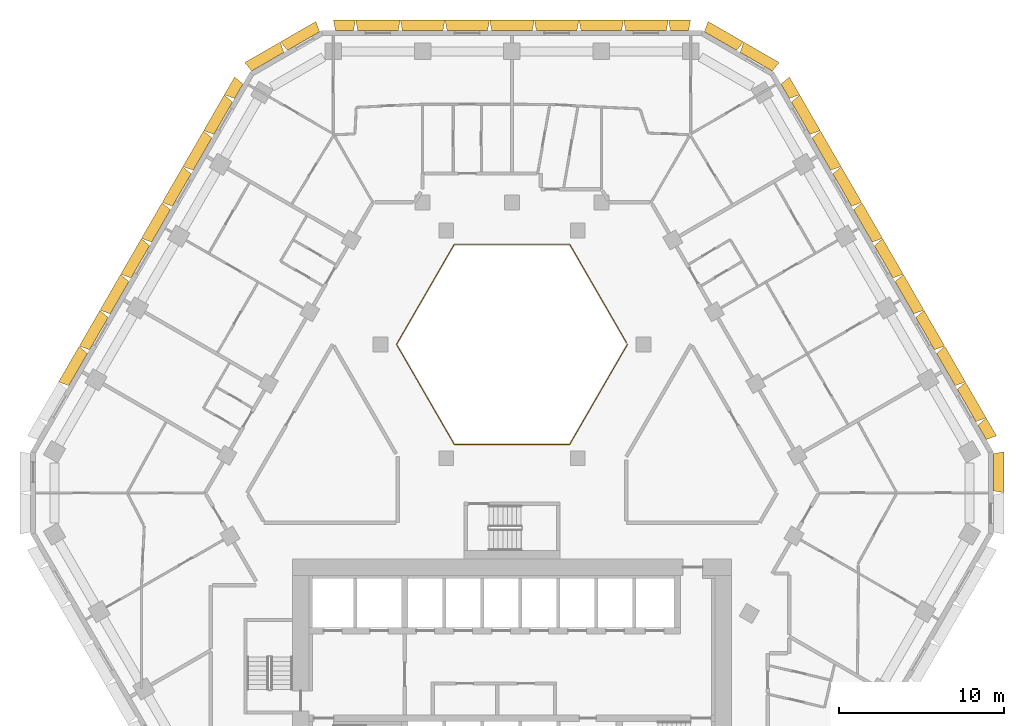
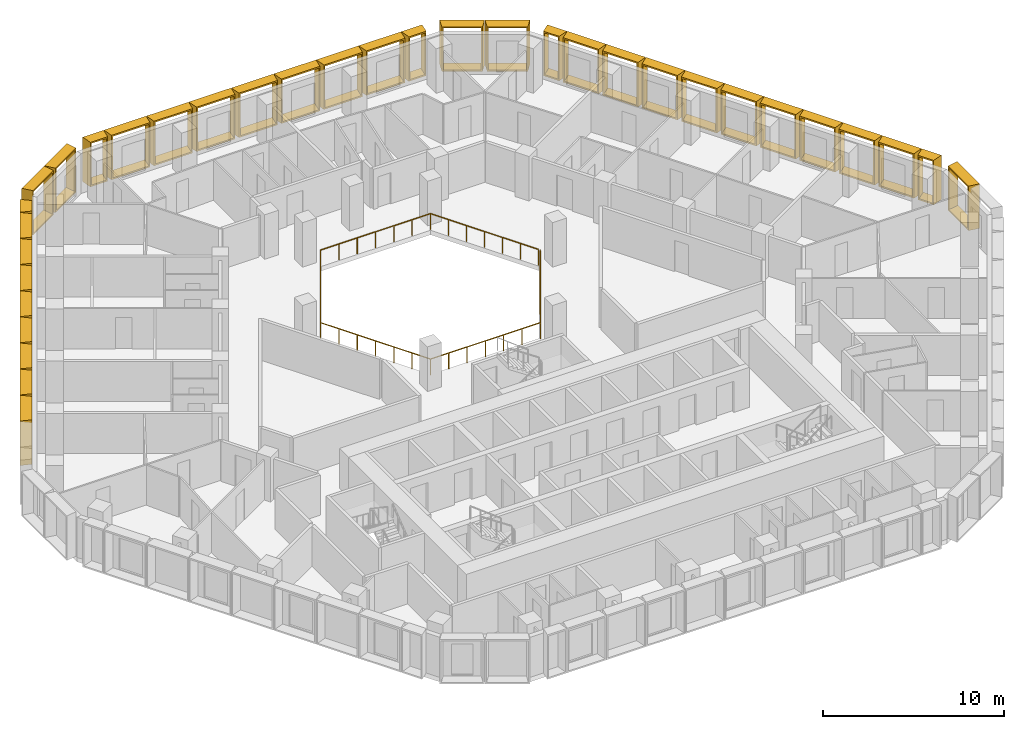
# One storey, part 15 of 15: 34 shading devices, 1 railing.
"""IFC4 building model written with IfcOpenShell, lengths in metres."""

from ifc_helpers import new_model, entity, si_unit, direction, frame, origin, origin_2d, place, context, subcontext, project, spatial, rectangle, extrude, source, transform, mapped, material, type_object, type_shapes, element, save


model = new_model("IFC4")

# Units and contexts
model_context = context("Model", 3, precision=1e-05, world=origin(), true_north=direction((0.0, 1.0)))
body_context = subcontext(model_context, "Body", "Model", "MODEL_VIEW")
ifc_project = project(units=[si_unit("LENGTHUNIT", "METRE"), si_unit("AREAUNIT", "SQUARE_METRE"), si_unit("VOLUMEUNIT", "CUBIC_METRE"), si_unit("PLANEANGLEUNIT", "RADIAN"), si_unit("MASSUNIT", "GRAM", prefix="KILO")], contexts=[model_context])

# Site, building, storey
site_placement = place(None, origin())
site = spatial("IfcSite", under=ifc_project, at=site_placement, CompositionType="ELEMENT")
building_placement = place(site_placement, origin())
building = spatial("IfcBuilding", under=site, at=building_placement, Name="Beryl Residences", CompositionType="ELEMENT")
storey_placement = place(building_placement, frame((0.0, 0.0, 72.0)))
storey = spatial("IfcBuildingStorey", under=building, at=storey_placement, Name="L21", CompositionType="ELEMENT", Elevation=72.0)

# Railing
ifc_material_1 = material(Name="Stainless steel balustrade with glass infill", Category="steel")
railing_type = type_object("IfcRailingType", Name="EG1 edge guard 1100 mm", PredefinedType="GUARDRAIL", material=ifc_material_1)
railing_placement = place(storey_placement, frame((6.9970703125, 8.0, 0.0)))
element("IfcRailing", 1, at=railing_placement, inside=storey, type_object=railing_type, Name="L21 atrium guard", PredefinedType="GUARDRAIL", context=body_context, shape_type="SweptSolid", body=[
    extrude(rectangle(XDim=0.048095703125, YDim=0.048095703125, at=origin_2d()), frame((0.0, 0.0, 1.076171875), z_axis=(-0.499921796684, -0.866070549782, 0.0), x_axis=(0.866070549782, -0.499921796684, 0.0)), (0.0, 0.0, 1.0), 6.9970703125),
    extrude(rectangle(XDim=0.048095703125, YDim=0.048095703125, at=origin_2d()), frame((-3.498046875, -6.06005859375, 1.076171875), z_axis=(-1.0, 0.0, 0.0), x_axis=(0.0, -1.0, 0.0)), (0.0, 0.0, 1.0), 6.998046875),
    extrude(rectangle(XDim=0.048095703125, YDim=0.048095703125, at=origin_2d()), frame((-10.49609375, -6.06005859375, 1.076171875), z_axis=(-0.499921796684, 0.866070549782, 0.0), x_axis=(-0.866070549782, -0.499921796684, 0.0)), (0.0, 0.0, 1.0), 6.9970703125),
    extrude(rectangle(XDim=0.048095703125, YDim=0.048095703125, at=origin_2d()), frame((-13.994140625, 0.0, 1.076171875), z_axis=(0.499921796684, 0.866070549782, 0.0), x_axis=(-0.866070549782, 0.499921796684, 0.0)), (0.0, 0.0, 1.0), 6.9970703125),
    extrude(rectangle(XDim=0.048095703125, YDim=0.048095703125, at=origin_2d()), frame((-10.49609375, 6.06005859375, 1.076171875), z_axis=(1.0, 0.0, 0.0), x_axis=(0.0, 1.0, 0.0)), (0.0, 0.0, 1.0), 6.998046875),
    extrude(rectangle(XDim=0.048095703125, YDim=0.048095703125, at=origin_2d()), frame((-3.498046875, 6.06005859375, 1.076171875), z_axis=(0.499919131929, -0.866072087953, 0.0), x_axis=(0.866072087953, 0.499919131929, 0.0)), (0.0, 0.0, 1.0), 6.877197265625),
    extrude(rectangle(XDim=0.0419921875, YDim=0.0419921875, at=origin_2d()), origin(), (0.0, 0.0, 1.0), 1.052001953125),
    extrude(rectangle(XDim=0.0419921875, YDim=0.0419921875, at=origin_2d()), frame((-0.5830078125, -1.010009765625, 0.0)), (0.0, 0.0, 1.0), 1.052001953125),
    extrude(rectangle(XDim=0.0419921875, YDim=0.0419921875, at=origin_2d()), frame((-1.166015625, -2.02001953125, 0.0)), (0.0, 0.0, 1.0), 1.052001953125),
    extrude(rectangle(XDim=0.0419921875, YDim=0.0419921875, at=origin_2d()), frame((-1.7490234375, -3.030029296875, 0.0)), (0.0, 0.0, 1.0), 1.052001953125),
    extrude(rectangle(XDim=0.0419921875, YDim=0.0419921875, at=origin_2d()), frame((-2.33203125, -4.0400390625, 0.0)), (0.0, 0.0, 1.0), 1.052001953125),
    extrude(rectangle(XDim=0.0419921875, YDim=0.0419921875, at=origin_2d()), frame((-2.9150390625, -5.050048828125, 0.0)), (0.0, 0.0, 1.0), 1.052001953125),
    extrude(rectangle(XDim=0.0419921875, YDim=0.0419921875, at=origin_2d()), frame((-3.498046875, -6.06005859375, 0.0)), (0.0, 0.0, 1.0), 1.052001953125),
    extrude(rectangle(XDim=0.0419921875, YDim=0.0419921875, at=origin_2d()), frame((-4.664306640625, -6.06005859375, 0.0)), (0.0, 0.0, 1.0), 1.052001953125),
    extrude(rectangle(XDim=0.0419921875, YDim=0.0419921875, at=origin_2d()), frame((-5.830810546875, -6.06005859375, 0.0)), (0.0, 0.0, 1.0), 1.052001953125),
    extrude(rectangle(XDim=0.0419921875, YDim=0.0419921875, at=origin_2d()), frame((-6.9970703125, -6.06005859375, 0.0)), (0.0, 0.0, 1.0), 1.052001953125),
    extrude(rectangle(XDim=0.0419921875, YDim=0.0419921875, at=origin_2d()), frame((-8.163330078125, -6.06005859375, 0.0)), (0.0, 0.0, 1.0), 1.052001953125),
    extrude(rectangle(XDim=0.0419921875, YDim=0.0419921875, at=origin_2d()), frame((-9.329833984375, -6.06005859375, 0.0)), (0.0, 0.0, 1.0), 1.052001953125),
    extrude(rectangle(XDim=0.0419921875, YDim=0.0419921875, at=origin_2d()), frame((-10.49609375, -6.06005859375, 0.0)), (0.0, 0.0, 1.0), 1.052001953125),
    extrude(rectangle(XDim=0.0419921875, YDim=0.0419921875, at=origin_2d()), frame((-11.0791015625, -5.050048828125, 0.0)), (0.0, 0.0, 1.0), 1.052001953125),
    extrude(rectangle(XDim=0.0419921875, YDim=0.0419921875, at=origin_2d()), frame((-11.662109375, -4.0400390625, 0.0)), (0.0, 0.0, 1.0), 1.052001953125),
    extrude(rectangle(XDim=0.0419921875, YDim=0.0419921875, at=origin_2d()), frame((-12.2451171875, -3.030029296875, 0.0)), (0.0, 0.0, 1.0), 1.052001953125),
    extrude(rectangle(XDim=0.0419921875, YDim=0.0419921875, at=origin_2d()), frame((-12.828125, -2.02001953125, 0.0)), (0.0, 0.0, 1.0), 1.052001953125),
    extrude(rectangle(XDim=0.0419921875, YDim=0.0419921875, at=origin_2d()), frame((-13.4111328125, -1.010009765625, 0.0)), (0.0, 0.0, 1.0), 1.052001953125),
    extrude(rectangle(XDim=0.0419921875, YDim=0.0419921875, at=origin_2d()), frame((-13.994140625, 0.0, 0.0)), (0.0, 0.0, 1.0), 1.052001953125),
    extrude(rectangle(XDim=0.0419921875, YDim=0.0419921875, at=origin_2d()), frame((-13.4111328125, 1.010009765625, 0.0)), (0.0, 0.0, 1.0), 1.052001953125),
    extrude(rectangle(XDim=0.0419921875, YDim=0.0419921875, at=origin_2d()), frame((-12.828125, 2.02001953125, 0.0)), (0.0, 0.0, 1.0), 1.052001953125),
    extrude(rectangle(XDim=0.0419921875, YDim=0.0419921875, at=origin_2d()), frame((-12.2451171875, 3.030029296875, 0.0)), (0.0, 0.0, 1.0), 1.052001953125),
    extrude(rectangle(XDim=0.0419921875, YDim=0.0419921875, at=origin_2d()), frame((-11.662109375, 4.0400390625, 0.0)), (0.0, 0.0, 1.0), 1.052001953125),
    extrude(rectangle(XDim=0.0419921875, YDim=0.0419921875, at=origin_2d()), frame((-11.0791015625, 5.050048828125, 0.0)), (0.0, 0.0, 1.0), 1.052001953125),
    extrude(rectangle(XDim=0.0419921875, YDim=0.0419921875, at=origin_2d()), frame((-10.49609375, 6.06005859375, 0.0)), (0.0, 0.0, 1.0), 1.052001953125),
    extrude(rectangle(XDim=0.0419921875, YDim=0.0419921875, at=origin_2d()), frame((-9.329833984375, 6.06005859375, 0.0)), (0.0, 0.0, 1.0), 1.052001953125),
    extrude(rectangle(XDim=0.0419921875, YDim=0.0419921875, at=origin_2d()), frame((-8.163330078125, 6.06005859375, 0.0)), (0.0, 0.0, 1.0), 1.052001953125),
    extrude(rectangle(XDim=0.0419921875, YDim=0.0419921875, at=origin_2d()), frame((-6.9970703125, 6.06005859375, 0.0)), (0.0, 0.0, 1.0), 1.052001953125),
    extrude(rectangle(XDim=0.0419921875, YDim=0.0419921875, at=origin_2d()), frame((-5.830810546875, 6.06005859375, 0.0)), (0.0, 0.0, 1.0), 1.052001953125),
    extrude(rectangle(XDim=0.0419921875, YDim=0.0419921875, at=origin_2d()), frame((-4.664306640625, 6.06005859375, 0.0)), (0.0, 0.0, 1.0), 1.052001953125),
    extrude(rectangle(XDim=0.0419921875, YDim=0.0419921875, at=origin_2d()), frame((-3.498046875, 6.06005859375, 0.0)), (0.0, 0.0, 1.0), 1.052001953125),
    extrude(rectangle(XDim=0.0419921875, YDim=0.0419921875, at=origin_2d()), frame((-2.925048828125, 5.0673828125, 0.0)), (0.0, 0.0, 1.0), 1.052001953125),
    extrude(rectangle(XDim=0.0419921875, YDim=0.0419921875, at=origin_2d()), frame((-2.35205078125, 4.07470703125, 0.0)), (0.0, 0.0, 1.0), 1.052001953125),
    extrude(rectangle(XDim=0.0419921875, YDim=0.0419921875, at=origin_2d()), frame((-1.779052734375, 3.08203125, 0.0)), (0.0, 0.0, 1.0), 1.052001953125),
    extrude(rectangle(XDim=0.0419921875, YDim=0.0419921875, at=origin_2d()), frame((-1.2060546875, 2.08935546875, 0.0)), (0.0, 0.0, 1.0), 1.052001953125),
    extrude(rectangle(XDim=0.0419921875, YDim=0.0419921875, at=origin_2d()), frame((-0.633056640625, 1.0966796875, 0.0)), (0.0, 0.0, 1.0), 1.052001953125),
    extrude(rectangle(XDim=0.0419921875, YDim=0.0419921875, at=origin_2d()), frame((-0.06005859375, 0.10400390625, 0.0)), (0.0, 0.0, 1.0), 1.052001953125),
])

# Shading devices
ifc_material_2 = material(Name="Aluminium pale anodised", Category="aluminium")
shading_device_type_1 = type_object("IfcShadingDeviceType", Name="FR126-65A OUTER SKIN frame 650 mm deep, splay 10/10 deg, 1260 x 3000 mm cell", PredefinedType="USERDEFINED", material=ifc_material_2)
cartesian_point_1 = entity("IfcCartesianPoint", [-0.5048828125, 0.0])
cartesian_point_2 = entity("IfcCartesianPoint", [-0.423828125, 0.10009765625])
cartesian_point_3 = entity("IfcCartesianPoint", [-0.61962890625, 0.0])
cartesian_point_4 = entity("IfcCartesianPoint", [-0.538330078125, 0.10009765625])
shared_shape_1 = source(origin(), body_context, "Body", "SweptSolid", [
    entity("IfcExtrudedAreaSolidTapered", entity("IfcArbitraryProfileDefWithVoids", "AREA", None, entity("IfcPolyline", [cartesian_point_1, entity("IfcCartesianPoint", [0.5048828125, 0.0]), entity("IfcCartesianPoint", [0.5048828125, 3.0]), entity("IfcCartesianPoint", [-0.5048828125, 3.0]), cartesian_point_1]), [entity("IfcPolyline", [cartesian_point_2, entity("IfcCartesianPoint", [0.423828125, 0.10009765625]), entity("IfcCartesianPoint", [0.423828125, 2.89990234375]), entity("IfcCartesianPoint", [-0.423828125, 2.89990234375]), cartesian_point_2])]), entity("IfcAxis2Placement3D", entity("IfcCartesianPoint", [0.0, 0.0, 0.0]), entity("IfcDirection", [0.0, 1.0, 0.0]), entity("IfcDirection", [-1.0, 0.0, 0.0])), entity("IfcDirection", [0.0, 0.0, 1.0]), 0.64990234375, entity("IfcArbitraryProfileDefWithVoids", "AREA", None, entity("IfcPolyline", [cartesian_point_3, entity("IfcCartesianPoint", [0.61962890625, 0.0]), entity("IfcCartesianPoint", [0.61962890625, 3.0]), entity("IfcCartesianPoint", [-0.61962890625, 3.0]), cartesian_point_3]), [entity("IfcPolyline", [cartesian_point_4, entity("IfcCartesianPoint", [0.538330078125, 0.10009765625]), entity("IfcCartesianPoint", [0.538330078125, 2.89990234375]), entity("IfcCartesianPoint", [-0.538330078125, 2.89990234375]), cartesian_point_4])])),
])
type_shapes(shading_device_type_1, [shared_shape_1])
for number, where, z_axis, x_axis, name in (
    (2, (-16.552001953125, 23.33203125, 0.0), (0.0, 0.0, 1.0), (0.5, 0.866025403784, 0.0), "FR126-65A frame L21 NW 1"),
    (3, (28.48193359375, 2.66796875, 0.0), (0.0, 0.0, 1.0), (0.5, -0.866025403784, 0.0), "FR126-65A frame L21 NE 1"),
    (4, (16.552001953125, 23.3310546875, 0.0), (0.0, 0.0, 1.0), (0.5, -0.866025403784, 0.0), "FR126-65A frame L21 NE 11"),
):
    element("IfcShadingDevice", number, at=place(storey_placement, frame(where, z_axis=z_axis, x_axis=x_axis)), inside=storey, type_object=shading_device_type_1, Name=name, ObjectType="OUTER SKIN", PredefinedType="USERDEFINED", context=body_context, shape_type="MappedRepresentation", body=[
        mapped(shared_shape_1, transform((0.0, 0.0, 0.0))),
    ])
ifc_material_3 = material(Name="Aluminium pale anodised", Category="aluminium")
shading_device_type_2 = type_object("IfcShadingDeviceType", Name="FR135-65A OUTER SKIN frame 650 mm deep, splay 10/10 deg, 1350 x 3000 mm cell", PredefinedType="USERDEFINED", material=ifc_material_3)
cartesian_point_5 = entity("IfcCartesianPoint", [-0.550048828125, 0.0])
cartesian_point_6 = entity("IfcCartesianPoint", [-0.46875, 0.10009765625])
cartesian_point_7 = entity("IfcCartesianPoint", [-0.66455078125, 0.0])
cartesian_point_8 = entity("IfcCartesianPoint", [-0.58349609375, 0.10009765625])
shared_shape_2 = source(origin(), body_context, "Body", "SweptSolid", [
    entity("IfcExtrudedAreaSolidTapered", entity("IfcArbitraryProfileDefWithVoids", "AREA", None, entity("IfcPolyline", [cartesian_point_5, entity("IfcCartesianPoint", [0.550048828125, 0.0]), entity("IfcCartesianPoint", [0.550048828125, 3.0]), entity("IfcCartesianPoint", [-0.550048828125, 3.0]), cartesian_point_5]), [entity("IfcPolyline", [cartesian_point_6, entity("IfcCartesianPoint", [0.46875, 0.10009765625]), entity("IfcCartesianPoint", [0.46875, 2.89990234375]), entity("IfcCartesianPoint", [-0.46875, 2.89990234375]), cartesian_point_6])]), entity("IfcAxis2Placement3D", entity("IfcCartesianPoint", [0.0, 0.0, 0.0]), entity("IfcDirection", [0.0, 1.0, 0.0]), entity("IfcDirection", [-1.0, 0.0, 0.0])), entity("IfcDirection", [0.0, 0.0, 1.0]), 0.64990234375, entity("IfcArbitraryProfileDefWithVoids", "AREA", None, entity("IfcPolyline", [cartesian_point_7, entity("IfcCartesianPoint", [0.66455078125, 0.0]), entity("IfcCartesianPoint", [0.66455078125, 3.0]), entity("IfcCartesianPoint", [-0.66455078125, 3.0]), cartesian_point_7]), [entity("IfcPolyline", [cartesian_point_8, entity("IfcCartesianPoint", [0.58349609375, 0.10009765625]), entity("IfcCartesianPoint", [0.58349609375, 2.89990234375]), entity("IfcCartesianPoint", [-0.58349609375, 2.89990234375]), cartesian_point_8])])),
])
type_shapes(shading_device_type_2, [shared_shape_2])
for number, where, z_axis, x_axis, name in (
    (5, (10.14794921875, 27.0, 0.0), (0.0, 0.0, 1.0), (1.0, 0.0, 0.0), "FR135-65A frame L21 N 1"),
    (6, (-10.14990234375, 27.0, 0.0), (0.0, 0.0, 1.0), (1.0, 0.0, 0.0), "FR135-65A frame L21 N 9"),
):
    element("IfcShadingDevice", number, at=place(storey_placement, frame(where, z_axis=z_axis, x_axis=x_axis)), inside=storey, type_object=shading_device_type_2, Name=name, ObjectType="OUTER SKIN", PredefinedType="USERDEFINED", context=body_context, shape_type="MappedRepresentation", body=[
        mapped(shared_shape_2, transform((0.0, 0.0, 0.0))),
    ])
ifc_material_4 = material(Name="Aluminium pale anodised", Category="aluminium")
shading_device_type_3 = type_object("IfcShadingDeviceType", Name="FR250-65A OUTER SKIN frame 650 mm deep, splay 10/10 deg, 2500 x 3000 mm cell", PredefinedType="USERDEFINED", material=ifc_material_4)
cartesian_point_9 = entity("IfcCartesianPoint", [-1.125, 0.0])
cartesian_point_10 = entity("IfcCartesianPoint", [-1.043701171875, 0.10009765625])
cartesian_point_11 = entity("IfcCartesianPoint", [-1.239501953125, 0.0])
cartesian_point_12 = entity("IfcCartesianPoint", [-1.158447265625, 0.10009765625])
shared_shape_3 = source(origin(), body_context, "Body", "SweptSolid", [
    entity("IfcExtrudedAreaSolidTapered", entity("IfcArbitraryProfileDefWithVoids", "AREA", None, entity("IfcPolyline", [cartesian_point_9, entity("IfcCartesianPoint", [1.125, 0.0]), entity("IfcCartesianPoint", [1.125, 3.0]), entity("IfcCartesianPoint", [-1.125, 3.0]), cartesian_point_9]), [entity("IfcPolyline", [cartesian_point_10, entity("IfcCartesianPoint", [1.043701171875, 0.10009765625]), entity("IfcCartesianPoint", [1.043701171875, 2.89990234375]), entity("IfcCartesianPoint", [-1.043701171875, 2.89990234375]), cartesian_point_10])]), entity("IfcAxis2Placement3D", entity("IfcCartesianPoint", [0.0, 0.0, 0.0]), entity("IfcDirection", [0.0, 1.0, 0.0]), entity("IfcDirection", [-1.0, 0.0, 0.0])), entity("IfcDirection", [0.0, 0.0, 1.0]), 0.64990234375, entity("IfcArbitraryProfileDefWithVoids", "AREA", None, entity("IfcPolyline", [cartesian_point_11, entity("IfcCartesianPoint", [1.239501953125, 0.0]), entity("IfcCartesianPoint", [1.239501953125, 3.0]), entity("IfcCartesianPoint", [-1.239501953125, 3.0]), cartesian_point_11]), [entity("IfcPolyline", [cartesian_point_12, entity("IfcCartesianPoint", [1.158447265625, 0.10009765625]), entity("IfcCartesianPoint", [1.158447265625, 2.89990234375]), entity("IfcCartesianPoint", [-1.158447265625, 2.89990234375]), cartesian_point_12])])),
])
type_shapes(shading_device_type_3, [shared_shape_3])
for number, where, z_axis, x_axis, name in (
    (7, (-12.6298828125, 26.375, 0.0), (0.0, 0.0, 1.0), (0.866025403784, 0.5, 0.0), "FR250-65A frame L21 N-NW 1"),
    (8, (-14.7939453125, 25.125, 0.0), (0.0, 0.0, 1.0), (0.866025403784, 0.5, 0.0), "FR250-65A frame L21 N-NW 2"),
    (9, (29.156982421875, 0.25, 0.0), (0.0, 0.0, 1.0), (0.0, -1.0, 0.0), "FR250-65A frame L21 SE-NE 2"),
    (10, (14.7939453125, 25.125, 0.0), (0.0, 0.0, 1.0), (0.866025403784, -0.5, 0.0), "FR250-65A frame L21 NE-N 1"),
    (11, (12.6298828125, 26.375, 0.0), (0.0, 0.0, 1.0), (0.866025403784, -0.5, 0.0), "FR250-65A frame L21 NE-N 2"),
):
    element("IfcShadingDevice", number, at=place(storey_placement, frame(where, z_axis=z_axis, x_axis=x_axis)), inside=storey, type_object=shading_device_type_3, Name=name, ObjectType="OUTER SKIN", PredefinedType="USERDEFINED", context=body_context, shape_type="MappedRepresentation", body=[
        mapped(shared_shape_3, transform((0.0, 0.0, 0.0))),
    ])
ifc_material_5 = material(Name="Aluminium pale anodised", Category="aluminium")
shading_device_type_4 = type_object("IfcShadingDeviceType", Name="FR251-65A OUTER SKIN frame 650 mm deep, splay 10/10 deg, 2510 x 3000 mm cell", PredefinedType="USERDEFINED", material=ifc_material_5)
cartesian_point_13 = entity("IfcCartesianPoint", [-1.1298828125, 0.0])
cartesian_point_14 = entity("IfcCartesianPoint", [-1.048828125, 0.10009765625])
cartesian_point_15 = entity("IfcCartesianPoint", [-1.24462890625, 0.0])
cartesian_point_16 = entity("IfcCartesianPoint", [-1.163330078125, 0.10009765625])
shared_shape_4 = source(origin(), body_context, "Body", "SweptSolid", [
    entity("IfcExtrudedAreaSolidTapered", entity("IfcArbitraryProfileDefWithVoids", "AREA", None, entity("IfcPolyline", [cartesian_point_13, entity("IfcCartesianPoint", [1.1298828125, 0.0]), entity("IfcCartesianPoint", [1.1298828125, 3.0]), entity("IfcCartesianPoint", [-1.1298828125, 3.0]), cartesian_point_13]), [entity("IfcPolyline", [cartesian_point_14, entity("IfcCartesianPoint", [1.048828125, 0.10009765625]), entity("IfcCartesianPoint", [1.048828125, 2.89990234375]), entity("IfcCartesianPoint", [-1.048828125, 2.89990234375]), cartesian_point_14])]), entity("IfcAxis2Placement3D", entity("IfcCartesianPoint", [0.0, 0.0, 0.0]), entity("IfcDirection", [0.0, 1.0, 0.0]), entity("IfcDirection", [-1.0, 0.0, 0.0])), entity("IfcDirection", [0.0, 0.0, 1.0]), 0.64990234375, entity("IfcArbitraryProfileDefWithVoids", "AREA", None, entity("IfcPolyline", [cartesian_point_15, entity("IfcCartesianPoint", [1.24462890625, 0.0]), entity("IfcCartesianPoint", [1.24462890625, 3.0]), entity("IfcCartesianPoint", [-1.24462890625, 3.0]), cartesian_point_15]), [entity("IfcPolyline", [cartesian_point_16, entity("IfcCartesianPoint", [1.163330078125, 0.10009765625]), entity("IfcCartesianPoint", [1.163330078125, 2.89990234375]), entity("IfcCartesianPoint", [-1.163330078125, 2.89990234375]), cartesian_point_16])])),
])
type_shapes(shading_device_type_4, [shared_shape_4])
for number, where, z_axis, x_axis, name in (
    (12, (-17.493896484375, 21.699951171875, 0.0), (0.0, 0.0, 1.0), (0.5, 0.866025403784, 0.0), "FR251-65A frame L21 NW 2"),
    (13, (-18.7490234375, 19.52490234375, 0.0), (0.0, 0.0, 1.0), (0.5, 0.866025403784, 0.0), "FR251-65A frame L21 NW 3"),
    (14, (-20.0048828125, 17.35009765625, 0.0), (0.0, 0.0, 1.0), (0.5, 0.866025403784, 0.0), "FR251-65A frame L21 NW 4"),
    (15, (-21.260986328125, 15.175048828125, 0.0), (0.0, 0.0, 1.0), (0.5, 0.866025403784, 0.0), "FR251-65A frame L21 NW 5"),
    (16, (-22.51708984375, 13.0, 0.0), (0.0, 0.0, 1.0), (0.5, 0.866025403784, 0.0), "FR251-65A frame L21 NW 6"),
    (17, (-23.77294921875, 10.824951171875, 0.0), (0.0, 0.0, 1.0), (0.5, 0.866025403784, 0.0), "FR251-65A frame L21 NW 7"),
    (18, (-25.028076171875, 8.64990234375, 0.0), (0.0, 0.0, 1.0), (0.5, 0.866025403784, 0.0), "FR251-65A frame L21 NW 8"),
    (19, (-26.283935546875, 6.47509765625, 0.0), (0.0, 0.0, 1.0), (0.5, 0.866025403784, 0.0), "FR251-65A frame L21 NW 9"),
    (20, (27.5400390625, 4.300048828125, 0.0), (0.0, 0.0, 1.0), (0.5, -0.866025403784, 0.0), "FR251-65A frame L21 NE 2"),
    (21, (26.284912109375, 6.47509765625, 0.0), (0.0, 0.0, 1.0), (0.5, -0.866025403784, 0.0), "FR251-65A frame L21 NE 3"),
    (22, (25.029052734375, 8.64990234375, 0.0), (0.0, 0.0, 1.0), (0.5, -0.866025403784, 0.0), "FR251-65A frame L21 NE 4"),
    (23, (23.77294921875, 10.824951171875, 0.0), (0.0, 0.0, 1.0), (0.5, -0.866025403784, 0.0), "FR251-65A frame L21 NE 5"),
    (24, (22.51708984375, 13.0, 0.0), (0.0, 0.0, 1.0), (0.5, -0.866025403784, 0.0), "FR251-65A frame L21 NE 6"),
    (25, (21.260986328125, 15.175048828125, 0.0), (0.0, 0.0, 1.0), (0.5, -0.866025403784, 0.0), "FR251-65A frame L21 NE 7"),
    (26, (20.006103515625, 17.35009765625, 0.0), (0.0, 0.0, 1.0), (0.5, -0.866025403784, 0.0), "FR251-65A frame L21 NE 8"),
    (27, (18.75, 19.52490234375, 0.0), (0.0, 0.0, 1.0), (0.5, -0.866025403784, 0.0), "FR251-65A frame L21 NE 9"),
    (28, (17.493896484375, 21.699951171875, 0.0), (0.0, 0.0, 1.0), (0.5, -0.866025403784, 0.0), "FR251-65A frame L21 NE 10"),
):
    element("IfcShadingDevice", number, at=place(storey_placement, frame(where, z_axis=z_axis, x_axis=x_axis)), inside=storey, type_object=shading_device_type_4, Name=name, ObjectType="OUTER SKIN", PredefinedType="USERDEFINED", context=body_context, shape_type="MappedRepresentation", body=[
        mapped(shared_shape_4, transform((0.0, 0.0, 0.0))),
    ])
ifc_material_6 = material(Name="Aluminium pale anodised", Category="aluminium")
shading_device_type_5 = type_object("IfcShadingDeviceType", Name="FR271-65A OUTER SKIN frame 650 mm deep, splay 10/10 deg, 2710 x 3000 mm cell", PredefinedType="USERDEFINED", material=ifc_material_6)
cartesian_point_17 = entity("IfcCartesianPoint", [-1.22998046875, 0.0])
cartesian_point_18 = entity("IfcCartesianPoint", [-1.148681640625, 0.10009765625])
cartesian_point_19 = entity("IfcCartesianPoint", [-1.3447265625, 0.0])
cartesian_point_20 = entity("IfcCartesianPoint", [-1.263427734375, 0.10009765625])
shared_shape_5 = source(origin(), body_context, "Body", "SweptSolid", [
    entity("IfcExtrudedAreaSolidTapered", entity("IfcArbitraryProfileDefWithVoids", "AREA", None, entity("IfcPolyline", [cartesian_point_17, entity("IfcCartesianPoint", [1.22998046875, 0.0]), entity("IfcCartesianPoint", [1.22998046875, 3.0]), entity("IfcCartesianPoint", [-1.22998046875, 3.0]), cartesian_point_17]), [entity("IfcPolyline", [cartesian_point_18, entity("IfcCartesianPoint", [1.148681640625, 0.10009765625]), entity("IfcCartesianPoint", [1.148681640625, 2.89990234375]), entity("IfcCartesianPoint", [-1.148681640625, 2.89990234375]), cartesian_point_18])]), entity("IfcAxis2Placement3D", entity("IfcCartesianPoint", [0.0, 0.0, 0.0]), entity("IfcDirection", [0.0, 1.0, 0.0]), entity("IfcDirection", [-1.0, 0.0, 0.0])), entity("IfcDirection", [0.0, 0.0, 1.0]), 0.64990234375, entity("IfcArbitraryProfileDefWithVoids", "AREA", None, entity("IfcPolyline", [cartesian_point_19, entity("IfcCartesianPoint", [1.3447265625, 0.0]), entity("IfcCartesianPoint", [1.3447265625, 3.0]), entity("IfcCartesianPoint", [-1.3447265625, 3.0]), cartesian_point_19]), [entity("IfcPolyline", [cartesian_point_20, entity("IfcCartesianPoint", [1.263427734375, 0.10009765625]), entity("IfcCartesianPoint", [1.263427734375, 2.89990234375]), entity("IfcCartesianPoint", [-1.263427734375, 2.89990234375]), cartesian_point_20])])),
])
type_shapes(shading_device_type_5, [shared_shape_5])
for number, where, z_axis, x_axis, name in (
    (29, (8.118896484375, 27.0, 0.0), (0.0, 0.0, 1.0), (1.0, 0.0, 0.0), "FR271-65A frame L21 N 2"),
    (30, (5.412109375, 27.0, 0.0), (0.0, 0.0, 1.0), (1.0, 0.0, 0.0), "FR271-65A frame L21 N 3"),
    (31, (2.705078125, 27.0, 0.0), (0.0, 0.0, 1.0), (1.0, 0.0, 0.0), "FR271-65A frame L21 N 4"),
    (32, (-0.0009765625, 27.0, 0.0), (0.0, 0.0, 1.0), (1.0, 0.0, 0.0), "FR271-65A frame L21 N 5"),
    (33, (-2.70703125, 27.0, 0.0), (0.0, 0.0, 1.0), (1.0, 0.0, 0.0), "FR271-65A frame L21 N 6"),
    (34, (-5.4140625, 27.0, 0.0), (0.0, 0.0, 1.0), (1.0, 0.0, 0.0), "FR271-65A frame L21 N 7"),
    (35, (-8.1201171875, 27.0, 0.0), (0.0, 0.0, 1.0), (1.0, 0.0, 0.0), "FR271-65A frame L21 N 8"),
):
    element("IfcShadingDevice", number, at=place(storey_placement, frame(where, z_axis=z_axis, x_axis=x_axis)), inside=storey, type_object=shading_device_type_5, Name=name, ObjectType="OUTER SKIN", PredefinedType="USERDEFINED", context=body_context, shape_type="MappedRepresentation", body=[
        mapped(shared_shape_5, transform((0.0, 0.0, 0.0))),
    ])

save(model, "model.ifc")
